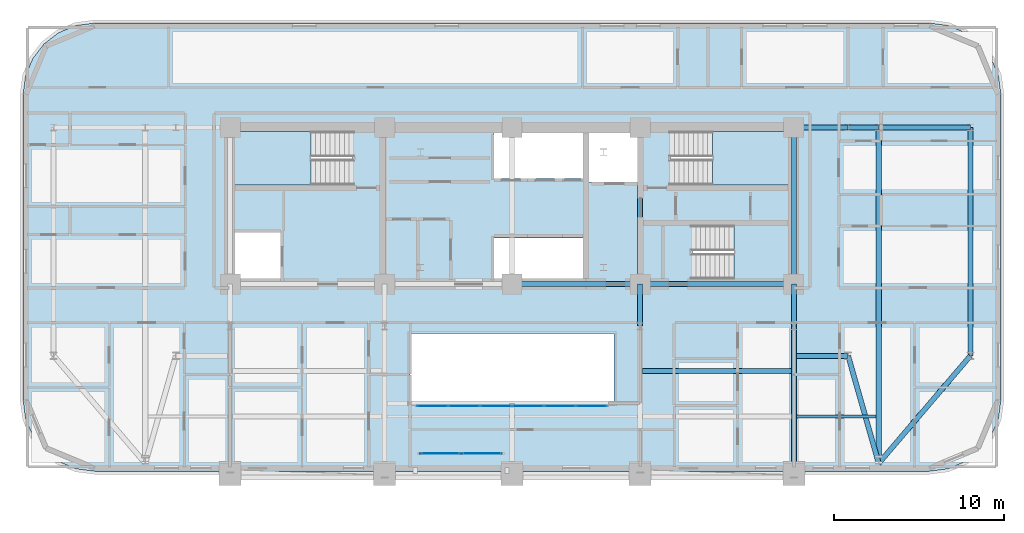
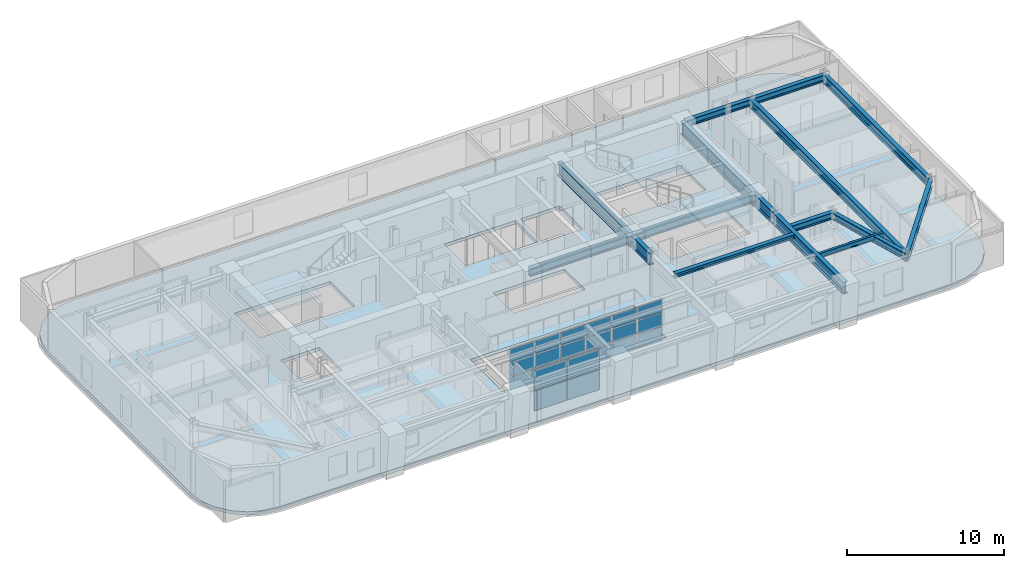
# One storey, part 6 of 16: 22 plates, 17 beams, 4 slabs, 5 elements without a shape of their own.
"""IFC4 building model written with IfcOpenShell, lengths in metres."""

from ifc_helpers import new_model, si_unit, direction, frame, origin, origin_2d, place, context, subcontext, project, spatial, polyline, rectangle, i_section, outline, extrude, material, layer, layer_set, material_profile, profile_set, type_object, element, aggregate, save


model = new_model("IFC4")

# Units and contexts
model_context = context("Model", 3, precision=1e-05, world=origin(), true_north=direction((0.0, 1.0)))
body_context = subcontext(model_context, "Body", "Model", "MODEL_VIEW")
ifc_project = project(units=[si_unit("LENGTHUNIT", "METRE"), si_unit("AREAUNIT", "SQUARE_METRE"), si_unit("VOLUMEUNIT", "CUBIC_METRE"), si_unit("PLANEANGLEUNIT", "RADIAN"), si_unit("MASSUNIT", "GRAM", prefix="KILO")], contexts=[model_context])

# Site, building, storey
site_placement = place(None, origin())
site = spatial("IfcSite", under=ifc_project, at=site_placement, CompositionType="ELEMENT")
building_placement = place(site_placement, origin())
building = spatial("IfcBuilding", under=site, at=building_placement, Name="Zarnavel Station Tower", CompositionType="ELEMENT")
storey_placement = place(building_placement, frame((0.0, 0.0, 104.800048828125)))
storey = spatial("IfcBuildingStorey", under=building, at=storey_placement, Name="L28", CompositionType="ELEMENT", Elevation=104.800048828125)

# Beams
ifc_material_1 = material(Name="Steel S355J2", Category="steel")
ifc_material_profile_1 = material_profile(ifc_material_1, i_section(OverallWidth=0.300048828125, OverallDepth=0.31005859375, WebThickness=0.009033203125, FlangeThickness=0.015380859375, FilletRadius=0.027099609375, at=origin_2d()), Name="HEA320")
ifc_profile_set_1 = profile_set([ifc_material_profile_1], Name="Steel S355J2")
beam_type_1 = type_object("IfcBeamType", Name="FB_HEA320", PredefinedType="BEAM", material=ifc_profile_set_1)
beam_1_placement = place(storey_placement, frame((36.4951171875, 22.71240234375, 3.0849609375), z_axis=(1.0, 0.0, 0.0), x_axis=(0.0, 1.0, 0.0)))
element("IfcBeam", 1, at=beam_1_placement, inside=storey, type_object=beam_type_1, Name="L28 East Bay Beam 2", PredefinedType="BEAM", context=body_context, shape_type="SweptSolid", body=[
    extrude(i_section(OverallWidth=0.300048828125, OverallDepth=0.31005859375, WebThickness=0.009033203125, FlangeThickness=0.015380859375, FilletRadius=0.027099609375, at=origin_2d()), origin(), (0.0, 0.0, 1.0), 8.759765625),
])
ifc_material_2 = material(Name="Steel S355J2", Category="steel")
ifc_material_profile_2 = material_profile(ifc_material_2, i_section(OverallWidth=0.300048828125, OverallDepth=0.5, WebThickness=0.014404296875, FlangeThickness=0.028076171875, FilletRadius=0.027099609375, at=origin_2d()), Name="HEB500")
ifc_profile_set_2 = profile_set([ifc_material_profile_2], Name="Steel S355J2")
beam_type_2 = type_object("IfcBeamType", Name="FG_HEB500", PredefinedType="USERDEFINED", material=ifc_profile_set_2)
for number, where, z_axis, x_axis, name in (
    (2, (45.544921875, 23.60009765625, 2.989990234375), (1.0, 0.0, 0.0), (0.0, 1.0, 0.0), "L28 East Wing South Tie 1"),
    (3, (45.544921875, 37.050048828125, 2.989990234375), (1.0, 0.0, 0.0), (0.0, 1.0, 0.0), "L28 East Wing North Tie 1"),
):
    element("IfcBeam", number, at=place(storey_placement, frame(where, z_axis=z_axis, x_axis=x_axis)), inside=storey, type_object=beam_type_2, Name=name, ObjectType="GIRDER", PredefinedType="USERDEFINED", context=body_context, shape_type="SweptSolid", body=[
        extrude(i_section(OverallWidth=0.300048828125, OverallDepth=0.5, WebThickness=0.014404296875, FlangeThickness=0.028076171875, FilletRadius=0.027099609375, at=origin_2d()), origin(), (0.0, 0.0, 1.0), 3.05517578125),
    ])
beam_2_placement = place(storey_placement, frame((48.60009765625, 23.60009765625, 2.989990234375), z_axis=(0.273281377912, -0.961934139371, 0.0), x_axis=(0.961934139371, 0.273281377912, 0.0)))
element("IfcBeam", 4, at=beam_2_placement, inside=storey, type_object=beam_type_2, Name="L28 East Wing South Tie 2", ObjectType="GIRDER", PredefinedType="USERDEFINED", context=body_context, shape_type="SweptSolid", body=[
    extrude(i_section(OverallWidth=0.300048828125, OverallDepth=0.5, WebThickness=0.014404296875, FlangeThickness=0.028076171875, FilletRadius=0.027099609375, at=origin_2d()), origin(), (0.0, 0.0, 1.0), 6.5859375),
])
beam_3_placement = place(storey_placement, frame((48.60009765625, 37.050048828125, 2.989990234375), z_axis=(1.0, 0.0, 0.0), x_axis=(0.0, 1.0, 0.0)))
element("IfcBeam", 5, at=beam_3_placement, inside=storey, type_object=beam_type_2, Name="L28 East Wing North Tie 2", ObjectType="GIRDER", PredefinedType="USERDEFINED", context=body_context, shape_type="SweptSolid", body=[
    extrude(i_section(OverallWidth=0.300048828125, OverallDepth=0.5, WebThickness=0.014404296875, FlangeThickness=0.028076171875, FilletRadius=0.027099609375, at=origin_2d()), origin(), (0.0, 0.0, 1.0), 1.7998046875),
])
beam_4_placement = place(storey_placement, frame((50.39990234375, 17.264892578125, 2.989990234375), z_axis=(0.648709393952, 0.761036216089, 0.0), x_axis=(-0.761036216089, 0.648709393952, 0.0)))
element("IfcBeam", 6, at=beam_4_placement, inside=storey, type_object=beam_type_2, Name="L28 East Wing South Tie 3", ObjectType="GIRDER", PredefinedType="USERDEFINED", context=body_context, shape_type="SweptSolid", body=[
    extrude(i_section(OverallWidth=0.300048828125, OverallDepth=0.5, WebThickness=0.014404296875, FlangeThickness=0.028076171875, FilletRadius=0.027099609375, at=origin_2d()), origin(), (0.0, 0.0, 1.0), 8.324462890625),
])
beam_5_placement = place(storey_placement, frame((50.39990234375, 37.050048828125, 2.989990234375), z_axis=(1.0, 0.0, 0.0), x_axis=(0.0, 1.0, 0.0)))
element("IfcBeam", 7, at=beam_5_placement, inside=storey, type_object=beam_type_2, Name="L28 East Wing North Tie 3", ObjectType="GIRDER", PredefinedType="USERDEFINED", context=body_context, shape_type="SweptSolid", body=[
    extrude(i_section(OverallWidth=0.300048828125, OverallDepth=0.5, WebThickness=0.014404296875, FlangeThickness=0.028076171875, FilletRadius=0.027099609375, at=origin_2d()), origin(), (0.0, 0.0, 1.0), 5.400146484375),
])
ifc_material_3 = material(Name="Steel S355J2", Category="steel")
ifc_material_profile_3 = material_profile(ifc_material_3, i_section(OverallWidth=0.300048828125, OverallDepth=0.60009765625, WebThickness=0.015380859375, FlangeThickness=0.030029296875, FilletRadius=0.027099609375, at=origin_2d()), Name="HEB600")
ifc_profile_set_3 = profile_set([ifc_material_profile_3], Name="Steel S355J2")
beam_type_3 = type_object("IfcBeamType", Name="FG_HEB600", PredefinedType="USERDEFINED", material=ifc_profile_set_3)
beam_6_placement = place(storey_placement, frame((28.800048828125, 27.820068359375, 2.93994140625), z_axis=(1.0, 0.0, 0.0), x_axis=(0.0, 1.0, 0.0)))
element("IfcBeam", 8, at=beam_6_placement, inside=storey, type_object=beam_type_3, Name="L28 Core Front Coupling Beam 3", ObjectType="GIRDER", PredefinedType="USERDEFINED", context=body_context, shape_type="SweptSolid", body=[
    extrude(i_section(OverallWidth=0.300048828125, OverallDepth=0.60009765625, WebThickness=0.015380859375, FlangeThickness=0.030029296875, FilletRadius=0.027099609375, at=origin_2d()), origin(), (0.0, 0.0, 1.0), 7.550048828125),
])
beam_7_placement = place(storey_placement, frame((36.35009765625, 27.820068359375, 2.93994140625), z_axis=(1.0, 0.0, 0.0), x_axis=(0.0, 1.0, 0.0)))
element("IfcBeam", 9, at=beam_7_placement, inside=storey, type_object=beam_type_3, Name="L28 Core Front Coupling Beam 4", ObjectType="GIRDER", PredefinedType="USERDEFINED", context=body_context, shape_type="SweptSolid", body=[
    extrude(i_section(OverallWidth=0.300048828125, OverallDepth=0.60009765625, WebThickness=0.015380859375, FlangeThickness=0.030029296875, FilletRadius=0.027099609375, at=origin_2d()), origin(), (0.0, 0.0, 1.0), 9.0498046875),
])
ifc_material_4 = material(Name="Steel S355J2", Category="steel")
ifc_material_profile_4 = material_profile(ifc_material_4, i_section(OverallWidth=0.300048828125, OverallDepth=0.64990234375, WebThickness=0.01611328125, FlangeThickness=0.031005859375, FilletRadius=0.027099609375, at=origin_2d()), Name="HEB650")
ifc_profile_set_4 = profile_set([ifc_material_profile_4], Name="Steel S355J2")
beam_type_4 = type_object("IfcBeamType", Name="FG_HEB650", PredefinedType="USERDEFINED", material=ifc_profile_set_4)
beam_8_placement = place(storey_placement, frame((50.39990234375, 17.264892578125, 2.9150390625), z_axis=(0.0, 1.0, 0.0), x_axis=(-1.0, 0.0, 0.0)))
element("IfcBeam", 10, at=beam_8_placement, inside=storey, type_object=beam_type_4, Name="L28 Wing NS Girder 3", ObjectType="GIRDER", PredefinedType="USERDEFINED", context=body_context, shape_type="SweptSolid", body=[
    extrude(i_section(OverallWidth=0.300048828125, OverallDepth=0.64990234375, WebThickness=0.01611328125, FlangeThickness=0.031005859375, FilletRadius=0.027099609375, at=origin_2d()), origin(), (0.0, 0.0, 1.0), 19.78515625),
])
beam_9_placement = place(storey_placement, frame((55.800048828125, 23.60009765625, 2.9150390625), z_axis=(0.0, 1.0, 0.0), x_axis=(-1.0, 0.0, 0.0)))
element("IfcBeam", 11, at=beam_9_placement, inside=storey, type_object=beam_type_4, Name="L28 Wing NS Girder 4", ObjectType="GIRDER", PredefinedType="USERDEFINED", context=body_context, shape_type="SweptSolid", body=[
    extrude(i_section(OverallWidth=0.300048828125, OverallDepth=0.64990234375, WebThickness=0.01611328125, FlangeThickness=0.031005859375, FilletRadius=0.027099609375, at=origin_2d()), origin(), (0.0, 0.0, 1.0), 13.449951171875),
])
ifc_material_5 = material(Name="Steel S355J2", Category="steel")
ifc_material_profile_5 = material_profile(ifc_material_5, i_section(OverallWidth=0.169921875, OverallDepth=0.360107421875, WebThickness=0.008056640625, FlangeThickness=0.0126953125, FilletRadius=0.01806640625, at=origin_2d()), Name="IPE360")
ifc_profile_set_5 = profile_set([ifc_material_profile_5], Name="Steel S355J2")
beam_type_5 = type_object("IfcBeamType", Name="FJ_IPE360", PredefinedType="JOIST", material=ifc_profile_set_5)
beam_10_placement = place(storey_placement, frame((45.544921875, 20.02490234375, 3.06005859375), z_axis=(1.0, 0.0, 0.0), x_axis=(0.0, 1.0, 0.0)))
element("IfcBeam", 12, at=beam_10_placement, inside=storey, type_object=beam_type_5, Name="L28 East Wing Joist 1", PredefinedType="JOIST", context=body_context, shape_type="SweptSolid", body=[
    extrude(i_section(OverallWidth=0.169921875, OverallDepth=0.360107421875, WebThickness=0.008056640625, FlangeThickness=0.0126953125, FilletRadius=0.01806640625, at=origin_2d()), origin(), (0.0, 0.0, 1.0), 4.7099609375),
])
ifc_material_6 = material(Name="Steel S460M", Category="steel")
ifc_material_profile_6 = material_profile(ifc_material_6, i_section(OverallWidth=0.302001953125, OverallDepth=1.008056640625, WebThickness=0.02099609375, FlangeThickness=0.0400390625, FilletRadius=0.030029296875, at=origin_2d()), Name="HEM1000")
ifc_profile_set_6 = profile_set([ifc_material_profile_6], Name="Steel S460M")
beam_type_6 = type_object("IfcBeamType", Name="TG_HEM1000", PredefinedType="USERDEFINED", material=ifc_profile_set_6)
for number, where, z_axis, x_axis, name in (
    (13, (36.35009765625, 27.820068359375, 2.73583984375), (0.0, 1.0, 0.0), (-1.0, 0.0, 0.0), "L28 Core Spine Coupling Girder 4"),
    (14, (45.39990234375, 27.820068359375, 2.73583984375), (0.0, 1.0, 0.0), (-1.0, 0.0, 0.0), "L28 Core Spine Coupling Girder 5"),
):
    element("IfcBeam", number, at=place(storey_placement, frame(where, z_axis=z_axis, x_axis=x_axis)), inside=storey, type_object=beam_type_6, Name=name, ObjectType="GIRDER", PredefinedType="USERDEFINED", context=body_context, shape_type="SweptSolid", body=[
        extrude(i_section(OverallWidth=0.302001953125, OverallDepth=1.008056640625, WebThickness=0.02099609375, FlangeThickness=0.0400390625, FilletRadius=0.030029296875, at=origin_2d()), origin(), (0.0, 0.0, 1.0), 9.22998046875),
    ])
ifc_material_7 = material(Name="Steel S460M", Category="steel")
ifc_material_profile_7 = material_profile(ifc_material_7, i_section(OverallWidth=0.302001953125, OverallDepth=0.909912109375, WebThickness=0.02099609375, FlangeThickness=0.0400390625, FilletRadius=0.030029296875, at=origin_2d()), Name="HEM900")
ifc_profile_set_7 = profile_set([ifc_material_profile_7], Name="Steel S460M")
beam_type_7 = type_object("IfcBeamType", Name="TG_HEM900", PredefinedType="USERDEFINED", material=ifc_profile_set_7)
beam_11_placement = place(storey_placement, frame((36.35009765625, 25.35009765625, 2.784912109375), z_axis=(0.0, 1.0, 0.0), x_axis=(-1.0, 0.0, 0.0)))
element("IfcBeam", 15, at=beam_11_placement, inside=storey, type_object=beam_type_7, Name="L28 Inner-Zone NS Girder 4", ObjectType="GIRDER", PredefinedType="USERDEFINED", context=body_context, shape_type="SweptSolid", body=[
    extrude(i_section(OverallWidth=0.302001953125, OverallDepth=0.909912109375, WebThickness=0.02099609375, FlangeThickness=0.0400390625, FilletRadius=0.030029296875, at=origin_2d()), origin(), (0.0, 0.0, 1.0), 2.469970703125),
])
beam_12_placement = place(storey_placement, frame((45.39990234375, 16.4375, 2.784912109375), z_axis=(0.0, 1.0, 0.0), x_axis=(-1.0, 0.0, 0.0)))
element("IfcBeam", 16, at=beam_12_placement, inside=storey, type_object=beam_type_7, Name="L28 South-Zone NS Girder 5", ObjectType="GIRDER", PredefinedType="USERDEFINED", context=body_context, shape_type="SweptSolid", body=[
    extrude(i_section(OverallWidth=0.302001953125, OverallDepth=0.909912109375, WebThickness=0.02099609375, FlangeThickness=0.0400390625, FilletRadius=0.030029296875, at=origin_2d()), origin(), (0.0, 0.0, 1.0), 8.91259765625),
])
beam_13_placement = place(storey_placement, frame((45.39990234375, 25.35009765625, 2.784912109375), z_axis=(0.0, 1.0, 0.0), x_axis=(-1.0, 0.0, 0.0)))
element("IfcBeam", 17, at=beam_13_placement, inside=storey, type_object=beam_type_7, Name="L28 Inner-Zone NS Girder 5", ObjectType="GIRDER", PredefinedType="USERDEFINED", context=body_context, shape_type="SweptSolid", body=[
    extrude(i_section(OverallWidth=0.302001953125, OverallDepth=0.909912109375, WebThickness=0.02099609375, FlangeThickness=0.0400390625, FilletRadius=0.030029296875, at=origin_2d()), origin(), (0.0, 0.0, 1.0), 2.469970703125),
])

# Curtain wall, plates
ifc_material_8 = material(Name="Aluminium Dark Anodised and Solar-Control Glass", Category="aluminium")
ifc_layer_1 = layer(ifc_material_8, 0.179931640625)
ifc_layer_set_1 = layer_set([ifc_layer_1], Name="CWS3")
curtain_wall_type_1 = type_object("IfcCurtainWallType", Name="CWS3", PredefinedType="NOTDEFINED", material=ifc_layer_set_1)
curtain_wall_1_placement = place(storey_placement, origin())
curtain_wall_1 = element("IfcCurtainWall", 18, at=curtain_wall_1_placement, inside=storey, type_object=curtain_wall_type_1, Name="L28 Curtain Wall CWS3-L28-AS", PredefinedType="NOTDEFINED")
ifc_material_9 = material(Name="Double Low-E Dark Solar-Control Glass", Category="glass")
ifc_layer_2 = layer(ifc_material_9, 0.030029296875)
ifc_layer_set_2 = layer_set([ifc_layer_2], Name="CWS3_PNL")
plate_type_1 = type_object("IfcPlateType", Name="CWS3_PNL", PredefinedType="CURTAIN_PANEL", material=ifc_layer_set_2)
plate_1_placement = place(storey_placement, frame((24.106689453125, 20.64990234375, 0.06005859375), z_axis=(0.0, 0.0, 1.0), x_axis=(1.0, 0.0, 0.0)))
plate_1 = element("IfcPlate", 19, at=plate_1_placement, type_object=plate_type_1, Name="CW3 panel 1.1", PredefinedType="CURTAIN_PANEL", context=body_context, shape_type="SweptSolid", body=[
    extrude(rectangle(XDim=1.793212890625, YDim=0.028076171875, at=origin_2d()), origin(), (0.0, 0.0, 1.0), 0.989990234375),
])
plate_2_placement = place(storey_placement, frame((24.106689453125, 20.64990234375, 1.10986328125), z_axis=(0.0, 0.0, 1.0), x_axis=(1.0, 0.0, 0.0)))
plate_2 = element("IfcPlate", 20, at=plate_2_placement, type_object=plate_type_1, Name="CW3 panel 1.2", PredefinedType="CURTAIN_PANEL", context=body_context, shape_type="SweptSolid", body=[
    extrude(rectangle(XDim=1.793212890625, YDim=0.028076171875, at=origin_2d()), origin(), (0.0, 0.0, 1.0), 1.02001953125),
])
plate_3_placement = place(storey_placement, frame((24.106689453125, 20.64990234375, 2.18994140625), z_axis=(0.0, 0.0, 1.0), x_axis=(1.0, 0.0, 0.0)))
plate_3 = element("IfcPlate", 21, at=plate_3_placement, type_object=plate_type_1, Name="CW3 panel 1.3", PredefinedType="CURTAIN_PANEL", context=body_context, shape_type="SweptSolid", body=[
    extrude(rectangle(XDim=1.793212890625, YDim=0.028076171875, at=origin_2d()), origin(), (0.0, 0.0, 1.0), 0.989990234375),
])
plate_4_placement = place(storey_placement, frame((25.97509765625, 20.64990234375, 0.06005859375), z_axis=(0.0, 0.0, 1.0), x_axis=(1.0, 0.0, 0.0)))
plate_4 = element("IfcPlate", 22, at=plate_4_placement, type_object=plate_type_1, Name="CW3 panel 2.1", PredefinedType="CURTAIN_PANEL", context=body_context, shape_type="SweptSolid", body=[
    extrude(rectangle(XDim=1.8232421875, YDim=0.028076171875, at=origin_2d()), origin(), (0.0, 0.0, 1.0), 0.989990234375),
])
plate_5_placement = place(storey_placement, frame((25.97509765625, 20.64990234375, 1.10986328125), z_axis=(0.0, 0.0, 1.0), x_axis=(1.0, 0.0, 0.0)))
plate_5 = element("IfcPlate", 23, at=plate_5_placement, type_object=plate_type_1, Name="CW3 panel 2.2", PredefinedType="CURTAIN_PANEL", context=body_context, shape_type="SweptSolid", body=[
    extrude(rectangle(XDim=1.8232421875, YDim=0.028076171875, at=origin_2d()), origin(), (0.0, 0.0, 1.0), 1.02001953125),
])
plate_6_placement = place(storey_placement, frame((25.97509765625, 20.64990234375, 2.18994140625), z_axis=(0.0, 0.0, 1.0), x_axis=(1.0, 0.0, 0.0)))
plate_6 = element("IfcPlate", 24, at=plate_6_placement, type_object=plate_type_1, Name="CW3 panel 2.3", PredefinedType="CURTAIN_PANEL", context=body_context, shape_type="SweptSolid", body=[
    extrude(rectangle(XDim=1.8232421875, YDim=0.028076171875, at=origin_2d()), origin(), (0.0, 0.0, 1.0), 0.989990234375),
])
plate_7_placement = place(storey_placement, frame((27.8583984375, 20.64990234375, 0.06005859375), z_axis=(0.0, 0.0, 1.0), x_axis=(1.0, 0.0, 0.0)))
plate_7 = element("IfcPlate", 25, at=plate_7_placement, type_object=plate_type_1, Name="CW3 panel 3.1", PredefinedType="CURTAIN_PANEL", context=body_context, shape_type="SweptSolid", body=[
    extrude(rectangle(XDim=1.8232421875, YDim=0.028076171875, at=origin_2d()), origin(), (0.0, 0.0, 1.0), 0.989990234375),
])
plate_8_placement = place(storey_placement, frame((27.8583984375, 20.64990234375, 1.10986328125), z_axis=(0.0, 0.0, 1.0), x_axis=(1.0, 0.0, 0.0)))
plate_8 = element("IfcPlate", 26, at=plate_8_placement, type_object=plate_type_1, Name="CW3 panel 3.2", PredefinedType="CURTAIN_PANEL", context=body_context, shape_type="SweptSolid", body=[
    extrude(rectangle(XDim=1.8232421875, YDim=0.028076171875, at=origin_2d()), origin(), (0.0, 0.0, 1.0), 1.02001953125),
])
plate_9_placement = place(storey_placement, frame((27.8583984375, 20.64990234375, 2.18994140625), z_axis=(0.0, 0.0, 1.0), x_axis=(1.0, 0.0, 0.0)))
plate_9 = element("IfcPlate", 27, at=plate_9_placement, type_object=plate_type_1, Name="CW3 panel 3.3", PredefinedType="CURTAIN_PANEL", context=body_context, shape_type="SweptSolid", body=[
    extrude(rectangle(XDim=1.8232421875, YDim=0.028076171875, at=origin_2d()), origin(), (0.0, 0.0, 1.0), 0.989990234375),
])
plate_10_placement = place(storey_placement, frame((29.74169921875, 20.64990234375, 0.06005859375), z_axis=(0.0, 0.0, 1.0), x_axis=(1.0, 0.0, 0.0)))
plate_10 = element("IfcPlate", 28, at=plate_10_placement, type_object=plate_type_1, Name="CW3 panel 4.1", PredefinedType="CURTAIN_PANEL", context=body_context, shape_type="SweptSolid", body=[
    extrude(rectangle(XDim=1.8232421875, YDim=0.028076171875, at=origin_2d()), origin(), (0.0, 0.0, 1.0), 0.989990234375),
])
plate_11_placement = place(storey_placement, frame((29.74169921875, 20.64990234375, 1.10986328125), z_axis=(0.0, 0.0, 1.0), x_axis=(1.0, 0.0, 0.0)))
plate_11 = element("IfcPlate", 29, at=plate_11_placement, type_object=plate_type_1, Name="CW3 panel 4.2", PredefinedType="CURTAIN_PANEL", context=body_context, shape_type="SweptSolid", body=[
    extrude(rectangle(XDim=1.8232421875, YDim=0.028076171875, at=origin_2d()), origin(), (0.0, 0.0, 1.0), 1.02001953125),
])
plate_12_placement = place(storey_placement, frame((29.74169921875, 20.64990234375, 2.18994140625), z_axis=(0.0, 0.0, 1.0), x_axis=(1.0, 0.0, 0.0)))
plate_12 = element("IfcPlate", 30, at=plate_12_placement, type_object=plate_type_1, Name="CW3 panel 4.3", PredefinedType="CURTAIN_PANEL", context=body_context, shape_type="SweptSolid", body=[
    extrude(rectangle(XDim=1.8232421875, YDim=0.028076171875, at=origin_2d()), origin(), (0.0, 0.0, 1.0), 0.989990234375),
])
plate_13_placement = place(storey_placement, frame((31.625, 20.64990234375, 0.06005859375), z_axis=(0.0, 0.0, 1.0), x_axis=(1.0, 0.0, 0.0)))
plate_13 = element("IfcPlate", 31, at=plate_13_placement, type_object=plate_type_1, Name="CW3 panel 5.1", PredefinedType="CURTAIN_PANEL", context=body_context, shape_type="SweptSolid", body=[
    extrude(rectangle(XDim=1.8232421875, YDim=0.028076171875, at=origin_2d()), origin(), (0.0, 0.0, 1.0), 0.989990234375),
])
plate_14_placement = place(storey_placement, frame((31.625, 20.64990234375, 1.10986328125), z_axis=(0.0, 0.0, 1.0), x_axis=(1.0, 0.0, 0.0)))
plate_14 = element("IfcPlate", 32, at=plate_14_placement, type_object=plate_type_1, Name="CW3 panel 5.2", PredefinedType="CURTAIN_PANEL", context=body_context, shape_type="SweptSolid", body=[
    extrude(rectangle(XDim=1.8232421875, YDim=0.028076171875, at=origin_2d()), origin(), (0.0, 0.0, 1.0), 1.02001953125),
])
plate_15_placement = place(storey_placement, frame((31.625, 20.64990234375, 2.18994140625), z_axis=(0.0, 0.0, 1.0), x_axis=(1.0, 0.0, 0.0)))
plate_15 = element("IfcPlate", 33, at=plate_15_placement, type_object=plate_type_1, Name="CW3 panel 5.3", PredefinedType="CURTAIN_PANEL", context=body_context, shape_type="SweptSolid", body=[
    extrude(rectangle(XDim=1.8232421875, YDim=0.028076171875, at=origin_2d()), origin(), (0.0, 0.0, 1.0), 0.989990234375),
])
plate_16_placement = place(storey_placement, frame((33.493408203125, 20.64990234375, 0.06005859375), z_axis=(0.0, 0.0, 1.0), x_axis=(1.0, 0.0, 0.0)))
plate_16 = element("IfcPlate", 34, at=plate_16_placement, type_object=plate_type_1, Name="CW3 panel 6.1", PredefinedType="CURTAIN_PANEL", context=body_context, shape_type="SweptSolid", body=[
    extrude(rectangle(XDim=1.793212890625, YDim=0.028076171875, at=origin_2d()), origin(), (0.0, 0.0, 1.0), 0.989990234375),
])
plate_17_placement = place(storey_placement, frame((33.493408203125, 20.64990234375, 1.10986328125), z_axis=(0.0, 0.0, 1.0), x_axis=(1.0, 0.0, 0.0)))
plate_17 = element("IfcPlate", 35, at=plate_17_placement, type_object=plate_type_1, Name="CW3 panel 6.2", PredefinedType="CURTAIN_PANEL", context=body_context, shape_type="SweptSolid", body=[
    extrude(rectangle(XDim=1.793212890625, YDim=0.028076171875, at=origin_2d()), origin(), (0.0, 0.0, 1.0), 1.02001953125),
])
plate_18_placement = place(storey_placement, frame((33.493408203125, 20.64990234375, 2.18994140625), z_axis=(0.0, 0.0, 1.0), x_axis=(1.0, 0.0, 0.0)))
plate_18 = element("IfcPlate", 36, at=plate_18_placement, type_object=plate_type_1, Name="CW3 panel 6.3", PredefinedType="CURTAIN_PANEL", context=body_context, shape_type="SweptSolid", body=[
    extrude(rectangle(XDim=1.793212890625, YDim=0.028076171875, at=origin_2d()), origin(), (0.0, 0.0, 1.0), 0.989990234375),
])
aggregate(curtain_wall_1, [plate_1, plate_2, plate_3, plate_4, plate_5, plate_6, plate_7, plate_8, plate_9, plate_10, plate_11, plate_12, plate_13, plate_14, plate_15, plate_16, plate_17, plate_18])

ifc_material_10 = material(Name="Aluminium Dark Anodised and Solar-Control Glass", Category="aluminium")
ifc_layer_3 = layer(ifc_material_10, 0.179931640625)
ifc_layer_set_3 = layer_set([ifc_layer_3], Name="CWS6")
curtain_wall_type_2 = type_object("IfcCurtainWallType", Name="CWS6", PredefinedType="NOTDEFINED", material=ifc_layer_set_3)
curtain_wall_2_placement = place(storey_placement, origin())
curtain_wall_2 = element("IfcCurtainWall", 37, at=curtain_wall_2_placement, inside=storey, type_object=curtain_wall_type_2, Name="L28 Curtain Wall CWS6-LOG-L28", PredefinedType="NOTDEFINED")
ifc_material_11 = material(Name="Double Low-E Dark Solar-Control Glass", Category="glass")
ifc_layer_4 = layer(ifc_material_11, 0.0380859375)
ifc_layer_set_4 = layer_set([ifc_layer_4], Name="CWS6_PNL")
plate_type_2 = type_object("IfcPlateType", Name="CWS6_PNL", PredefinedType="CURTAIN_PANEL", material=ifc_layer_set_4)
plate_19_placement = place(storey_placement, frame((24.590087890625, 17.85009765625, 0.06005859375), z_axis=(0.0, 0.0, 1.0), x_axis=(1.0, 0.0, 0.0)))
plate_19 = element("IfcPlate", 38, at=plate_19_placement, type_object=plate_type_2, Name="CW6 panel 1.1", PredefinedType="CURTAIN_PANEL", context=body_context, shape_type="SweptSolid", body=[
    extrude(rectangle(XDim=2.360107421875, YDim=0.028076171875, at=origin_2d()), origin(), (0.0, 0.0, 1.0), 1.530029296875),
])
plate_20_placement = place(storey_placement, frame((24.590087890625, 17.85009765625, 1.64990234375), z_axis=(0.0, 0.0, 1.0), x_axis=(1.0, 0.0, 0.0)))
plate_20 = element("IfcPlate", 39, at=plate_20_placement, type_object=plate_type_2, Name="CW6 panel 1.2", PredefinedType="CURTAIN_PANEL", context=body_context, shape_type="SweptSolid", body=[
    extrude(rectangle(XDim=2.360107421875, YDim=0.028076171875, at=origin_2d()), origin(), (0.0, 0.0, 1.0), 1.530029296875),
])
plate_21_placement = place(storey_placement, frame((27.010009765625, 17.85009765625, 0.06005859375), z_axis=(0.0, 0.0, 1.0), x_axis=(1.0, 0.0, 0.0)))
plate_21 = element("IfcPlate", 40, at=plate_21_placement, type_object=plate_type_2, Name="CW6 panel 2.1", PredefinedType="CURTAIN_PANEL", context=body_context, shape_type="SweptSolid", body=[
    extrude(rectangle(XDim=2.360107421875, YDim=0.028076171875, at=origin_2d()), origin(), (0.0, 0.0, 1.0), 1.530029296875),
])
plate_22_placement = place(storey_placement, frame((27.010009765625, 17.85009765625, 1.64990234375), z_axis=(0.0, 0.0, 1.0), x_axis=(1.0, 0.0, 0.0)))
plate_22 = element("IfcPlate", 41, at=plate_22_placement, type_object=plate_type_2, Name="CW6 panel 2.2", PredefinedType="CURTAIN_PANEL", context=body_context, shape_type="SweptSolid", body=[
    extrude(rectangle(XDim=2.360107421875, YDim=0.028076171875, at=origin_2d()), origin(), (0.0, 0.0, 1.0), 1.530029296875),
])
aggregate(curtain_wall_2, [plate_19, plate_20, plate_21, plate_22])

# Slab
ifc_material_12 = material(Name="Concrete C45/55", Category="concrete")
ifc_layer_5 = layer(ifc_material_12, 0.260009765625)
ifc_layer_set_5 = layer_set([ifc_layer_5], Name="SL_FLR_260")
slab_type_1 = type_object("IfcSlabType", Name="SL_FLR_260", PredefinedType="FLOOR", material=ifc_layer_set_5)
slab_1_placement = place(storey_placement, frame((0.0, 0.0, -0.260009765625)))
element("IfcSlab", 42, at=slab_1_placement, inside=storey, type_object=slab_type_1, Name="L28 Structural Floor Slab", PredefinedType="FLOOR", context=body_context, shape_type="SweptSolid", body=[
    extrude(outline(polyline([(53.39990234375, 16.800048828125), (54.487060546875, 16.943115234375), (55.5, 17.36279296875), (56.369873046875, 18.0302734375), (57.037353515625, 18.89990234375), (57.456787109375, 19.9130859375), (57.60009765625, 21.0), (57.60009765625, 39.0), (57.456787109375, 40.0869140625), (57.037353515625, 41.10009765625), (56.369873046875, 41.9697265625), (55.5, 42.63720703125), (54.487060546875, 43.056884765625), (53.39990234375, 43.199951171875), (4.199951171875, 43.199951171875), (3.113037109375, 43.056884765625), (2.10009765625, 42.63720703125), (1.230224609375, 41.9697265625), (0.562744140625, 41.10009765625), (0.14306640625, 40.0869140625), (0.0, 39.0), (0.0, 21.0), (0.14306640625, 19.9130859375), (0.562744140625, 18.89990234375), (1.230224609375, 18.0302734375), (2.10009765625, 17.36279296875), (3.113037109375, 16.943115234375), (4.199951171875, 16.800048828125), (53.39990234375, 16.800048828125)]), holes=[polyline([(12.39990234375, 33.659912109375), (19.409912109375, 33.659912109375), (19.409912109375, 36.820068359375), (12.39990234375, 36.820068359375), (12.39990234375, 33.659912109375)]), polyline([(38.14990234375, 33.659912109375), (45.159912109375, 33.659912109375), (45.159912109375, 36.820068359375), (38.14990234375, 36.820068359375), (38.14990234375, 33.659912109375)]), polyline([(39.419921875, 28.1201171875), (45.14990234375, 28.1201171875), (45.14990234375, 31.280029296875), (39.419921875, 31.280029296875), (39.419921875, 28.1201171875)]), polyline([(12.35009765625, 27.949951171875), (15.14990234375, 27.949951171875), (15.14990234375, 30.85009765625), (12.35009765625, 30.85009765625), (12.35009765625, 27.949951171875)]), polyline([(33.320068359375, 33.85009765625), (36.2099609375, 33.85009765625), (36.2099609375, 36.780029296875), (33.320068359375, 36.780029296875), (33.320068359375, 33.85009765625)]), polyline([(27.75, 34.050048828125), (32.97998046875, 34.050048828125), (32.97998046875, 36.780029296875), (27.75, 36.780029296875), (27.75, 34.050048828125)]), polyline([(27.75, 27.949951171875), (32.97998046875, 27.949951171875), (32.97998046875, 30.550048828125), (27.75, 30.550048828125), (27.75, 27.949951171875)]), polyline([(22.800048828125, 20.800048828125), (34.800048828125, 20.800048828125), (34.800048828125, 24.89990234375), (22.800048828125, 24.89990234375), (22.800048828125, 20.800048828125)])]), origin(), (0.0, 0.0, 1.0), 0.260009765625),
])

# Stair, slab
ifc_material_13 = material(Name="Concrete C45/55", Category="concrete")
stair_type = type_object("IfcStairType", Name="ST_CORE_150", PredefinedType="HALF_TURN_STAIR", material=ifc_material_13)
stair_1_placement = place(storey_placement, origin())
stair_1 = element("IfcStair", 43, at=stair_1_placement, inside=storey, type_object=stair_type, Name="L28 Core Exit Stair ST1", PredefinedType="HALF_TURN_STAIR")
ifc_material_14 = material(Name="Concrete C45/55", Category="concrete")
ifc_layer_6 = layer(ifc_material_14, 0.199951171875)
ifc_layer_set_6 = layer_set([ifc_layer_6], Name="SL_STAIR_LAND_200")
slab_type_2 = type_object("IfcSlabType", Name="SL_STAIR_LAND_200", PredefinedType="LANDING", material=ifc_layer_set_6)
slab_2_placement = place(storey_placement, frame((0.0, 0.0, 1.550048828125)))
slab_2 = element("IfcSlab", 44, at=slab_2_placement, type_object=slab_type_2, Name="ST1 landing 1", PredefinedType="LANDING", context=body_context, shape_type="SweptSolid", body=[
    extrude(outline(polyline([(16.9599609375, 36.820068359375), (12.39990234375, 36.820068359375), (12.39990234375, 33.659912109375), (16.9599609375, 33.659912109375), (16.9599609375, 36.820068359375)])), origin(), (0.0, 0.0, 1.0), 0.199951171875),
])
aggregate(stair_1, [slab_2])

stair_2_placement = place(storey_placement, origin())
stair_2 = element("IfcStair", 45, at=stair_2_placement, inside=storey, type_object=stair_type, Name="L28 Core Exit Stair ST2", PredefinedType="HALF_TURN_STAIR")
slab_3_placement = place(storey_placement, frame((0.0, 0.0, 1.550048828125)))
slab_3 = element("IfcSlab", 46, at=slab_3_placement, type_object=slab_type_2, Name="ST2 landing 1", PredefinedType="LANDING", context=body_context, shape_type="SweptSolid", body=[
    extrude(outline(polyline([(40.60009765625, 33.659912109375), (45.159912109375, 33.659912109375), (45.159912109375, 36.820068359375), (40.60009765625, 36.820068359375), (40.60009765625, 33.659912109375)])), origin(), (0.0, 0.0, 1.0), 0.199951171875),
])
aggregate(stair_2, [slab_3])

stair_3_placement = place(storey_placement, origin())
stair_3 = element("IfcStair", 47, at=stair_3_placement, inside=storey, type_object=stair_type, Name="L28 Core Exit Stair ST3", PredefinedType="HALF_TURN_STAIR")
slab_4_placement = place(storey_placement, frame((0.0, 0.0, 1.550048828125)))
slab_4 = element("IfcSlab", 48, at=slab_4_placement, type_object=slab_type_2, Name="ST3 landing 1", PredefinedType="LANDING", context=body_context, shape_type="SweptSolid", body=[
    extrude(outline(polyline([(41.8701171875, 28.1201171875), (45.14990234375, 28.1201171875), (45.14990234375, 31.280029296875), (41.8701171875, 31.280029296875), (41.8701171875, 28.1201171875)])), origin(), (0.0, 0.0, 1.0), 0.199951171875),
])
aggregate(stair_3, [slab_4])

save(model, "model.ifc")
